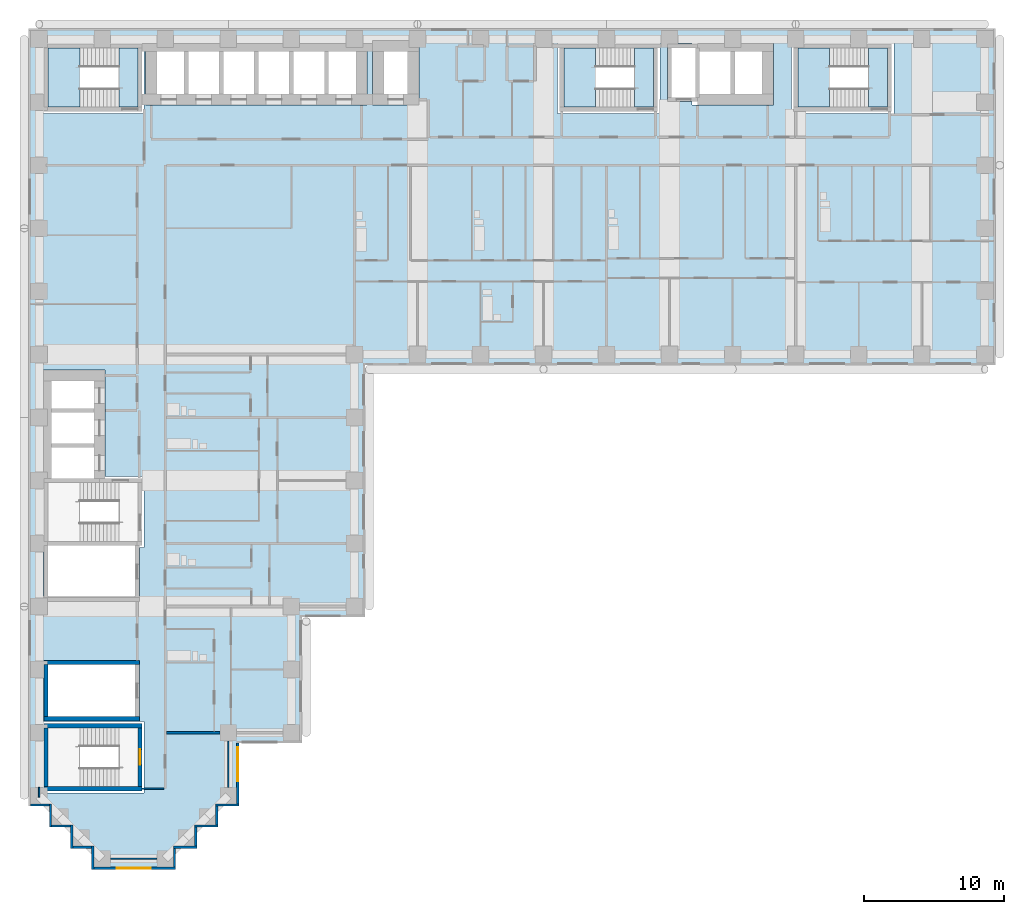
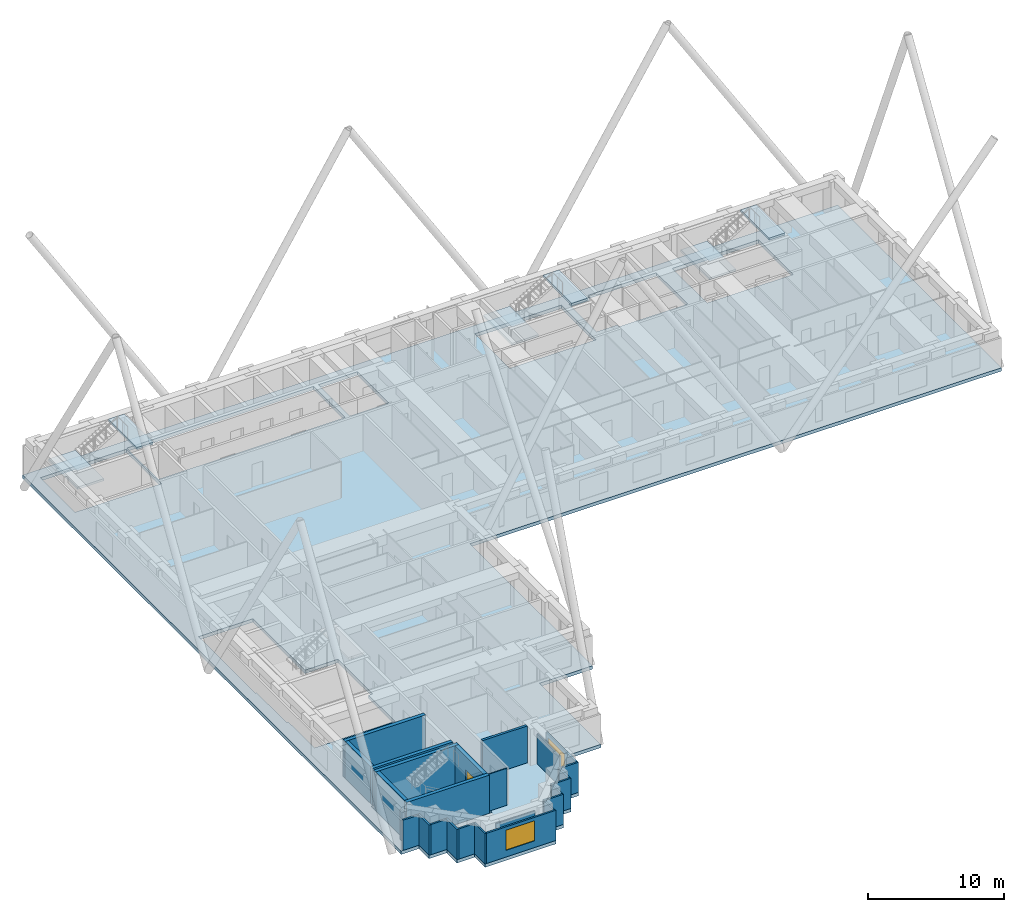
# One storey, part 2 of 13: 26 walls, 7 slabs, 2 windows, 1 door, 3 openings, 3 elements without a shape of their own.
"""IFC4 building model written with IfcOpenShell, lengths in metres."""

from ifc_helpers import new_model, si_unit, direction, frame, frame_2d, origin, place, context, subcontext, project, spatial, polyline, rectangle, outline, extrude, material, layer, layer_set, type_object, element, fill, aggregate, save


model = new_model("IFC4")

# Units and contexts
model_context = context("Model", 3, precision=1e-05, world=origin(), true_north=direction((0.0, 1.0)))
body_context = subcontext(model_context, "Body", "Model", "MODEL_VIEW")
ifc_project = project(units=[si_unit("LENGTHUNIT", "METRE"), si_unit("AREAUNIT", "SQUARE_METRE"), si_unit("VOLUMEUNIT", "CUBIC_METRE"), si_unit("PLANEANGLEUNIT", "RADIAN"), si_unit("MASSUNIT", "GRAM", prefix="KILO")], contexts=[model_context])

# Site, building, storey
site_placement = place(None, origin())
site = spatial("IfcSite", under=ifc_project, at=site_placement, CompositionType="ELEMENT")
building_placement = place(site_placement, origin())
building = spatial("IfcBuilding", under=site, at=building_placement, Name="Firuza Court", CompositionType="ELEMENT")
storey_placement = place(building_placement, frame((0.0, 0.0, 50.60009765625)))
storey = spatial("IfcBuildingStorey", under=building, at=storey_placement, Name="L11", CompositionType="ELEMENT", Elevation=50.60009765625)

# Slab
ifc_material_1 = material(Name="Concrete C40/50", Category="concrete")
ifc_layer_1 = layer(ifc_material_1, 0.300048828125)
ifc_layer_set_1 = layer_set([ifc_layer_1], Name="Concrete C40/50")
slab_type_1 = type_object("IfcSlabType", Name="Floor slab 300 C40/50", PredefinedType="FLOOR", material=ifc_layer_set_1)
slab_1_placement = place(storey_placement, frame((0.0, 0.0, -0.300048828125)))
element("IfcSlab", 1, at=slab_1_placement, inside=storey, type_object=slab_type_1, Name="Floor slab L11", PredefinedType="FLOOR", context=body_context, shape_type="SweptSolid", body=[
    extrude(outline(polyline([(3.75, -0.75), (3.75, 0.75), (2.25, 0.75), (2.25, 2.25), (0.75, 2.25), (0.75, 3.75), (-0.75, 3.75), (-0.75, 59.25), (68.25, 59.25), (68.25, 35.25), (23.25, 35.25), (23.25, 17.25), (18.75, 17.25), (18.75, 8.25), (14.25, 8.25), (14.25, 3.75), (12.75, 3.75), (12.75, 2.25), (11.25, 2.25), (11.25, 0.75), (9.75, 0.75), (9.75, -0.75), (3.75, -0.75)]), holes=[polyline([(7.5, 9.800048828125), (0.199951171875, 9.800048828125), (0.199951171875, 4.699951171875), (7.5, 4.699951171875), (7.5, 9.800048828125)]), polyline([(7.14990234375, 14.14990234375), (0.35009765625, 14.14990234375), (0.35009765625, 9.85009765625), (7.14990234375, 9.85009765625), (7.14990234375, 14.14990234375)]), polyline([(0.199951171875, 22.199951171875), (0.35009765625, 22.199951171875), (0.35009765625, 18.35009765625), (7.14990234375, 18.35009765625), (7.14990234375, 22.199951171875), (7.5, 22.199951171875), (7.5, 27.300048828125), (4.699951171875, 27.300048828125), (4.699951171875, 29.10009765625), (4.699951171875, 29.89990234375), (4.699951171875, 31.60009765625), (4.699951171875, 32.39990234375), (4.699951171875, 34.89990234375), (0.10009765625, 34.89990234375), (0.10009765625, 32.39990234375), (0.10009765625, 31.60009765625), (0.10009765625, 29.89990234375), (0.10009765625, 29.10009765625), (0.10009765625, 26.60009765625), (0.199951171875, 26.60009765625), (0.199951171875, 22.199951171875)]), polyline([(7.5, 58.300048828125), (0.199951171875, 58.300048828125), (0.199951171875, 53.199951171875), (7.5, 53.199951171875), (7.5, 58.300048828125)]), polyline([(10.10009765625, 58.39990234375), (7.60009765625, 58.39990234375), (7.60009765625, 53.800048828125), (10.10009765625, 53.800048828125), (10.89990234375, 53.800048828125), (12.60009765625, 53.800048828125), (13.39990234375, 53.800048828125), (15.10009765625, 53.800048828125), (15.89990234375, 53.800048828125), (17.60009765625, 53.800048828125), (18.39990234375, 53.800048828125), (20.10009765625, 53.800048828125), (20.89990234375, 53.800048828125), (23.39990234375, 53.800048828125), (23.39990234375, 58.39990234375), (20.89990234375, 58.39990234375), (20.10009765625, 58.39990234375), (18.39990234375, 58.39990234375), (17.60009765625, 58.39990234375), (15.89990234375, 58.39990234375), (15.10009765625, 58.39990234375), (13.39990234375, 58.39990234375), (12.60009765625, 58.39990234375), (10.89990234375, 58.39990234375), (10.10009765625, 58.39990234375)]), polyline([(44.300048828125, 58.300048828125), (37.0, 58.300048828125), (37.0, 53.199951171875), (44.300048828125, 53.199951171875), (44.300048828125, 58.300048828125)]), polyline([(61.0, 58.300048828125), (53.699951171875, 58.300048828125), (53.699951171875, 53.199951171875), (61.0, 53.199951171875), (61.0, 58.300048828125)]), polyline([(27.10009765625, 58.39990234375), (23.800048828125, 58.39990234375), (23.800048828125, 53.800048828125), (27.10009765625, 53.800048828125), (27.10009765625, 58.39990234375)]), polyline([(46.60009765625, 58.14990234375), (44.85009765625, 58.14990234375), (44.85009765625, 54.050048828125), (46.60009765625, 54.050048828125), (46.60009765625, 53.800048828125), (49.10009765625, 53.800048828125), (49.89990234375, 53.800048828125), (52.39990234375, 53.800048828125), (52.39990234375, 58.39990234375), (49.89990234375, 58.39990234375), (49.10009765625, 58.39990234375), (46.60009765625, 58.39990234375), (46.60009765625, 58.14990234375)])]), origin(), (0.0, 0.0, 1.0), 0.300048828125),
])

# Stair, slabs
ifc_material_2 = material(Name="Concrete C40/50 precast", Category="concrete")
stair_type = type_object("IfcStairType", Name="Stair 1350 x 3600 2 flights", PredefinedType="HALF_TURN_STAIR", material=ifc_material_2)
stair_1_placement = place(storey_placement, origin())
stair_1 = element("IfcStair", 2, at=stair_1_placement, inside=storey, type_object=stair_type, Name="Stair 1 L11", PredefinedType="HALF_TURN_STAIR")
ifc_material_3 = material(Name="Concrete C40/50 precast", Category="concrete")
ifc_layer_2 = layer(ifc_material_3, 0.199951171875)
ifc_layer_set_2 = layer_set([ifc_layer_2], Name="Concrete C40/50 precast")
slab_type_2 = type_object("IfcSlabType", Name="Stair landing 200", PredefinedType="LANDING", material=ifc_layer_set_2)
slab_2_placement = place(storey_placement, frame((0.0, 0.0, 1.599853515625)))
slab_2 = element("IfcSlab", 3, at=slab_2_placement, type_object=slab_type_2, Name="S1 landing 1", PredefinedType="LANDING", context=body_context, shape_type="SweptSolid", body=[
    extrude(outline(polyline([(39.699951171875, 53.64990234375), (39.699951171875, 57.85009765625), (37.449951171875, 57.85009765625), (37.449951171875, 53.64990234375), (39.699951171875, 53.64990234375)])), origin(), (0.0, 0.0, 1.0), 0.199951171875),
])
slab_3_placement = place(storey_placement, frame((0.0, 0.0, 3.39990234375)))
slab_3 = element("IfcSlab", 4, at=slab_3_placement, type_object=slab_type_2, Name="S1 landing 2", PredefinedType="LANDING", context=body_context, shape_type="SweptSolid", body=[
    extrude(outline(polyline([(43.85009765625, 53.64990234375), (43.85009765625, 57.85009765625), (42.5, 57.85009765625), (42.5, 53.64990234375), (43.85009765625, 53.64990234375)])), origin(), (0.0, 0.0, 1.0), 0.199951171875),
])
aggregate(stair_1, [slab_2, slab_3])

stair_2_placement = place(storey_placement, origin())
stair_2 = element("IfcStair", 5, at=stair_2_placement, inside=storey, type_object=stair_type, Name="Stair 3 L11", PredefinedType="HALF_TURN_STAIR")
slab_4_placement = place(storey_placement, frame((0.0, 0.0, 1.599853515625)))
slab_4 = element("IfcSlab", 6, at=slab_4_placement, type_object=slab_type_2, Name="S3 landing 1", PredefinedType="LANDING", context=body_context, shape_type="SweptSolid", body=[
    extrude(outline(polyline([(2.89990234375, 53.64990234375), (2.89990234375, 57.85009765625), (0.64990234375, 57.85009765625), (0.64990234375, 53.64990234375), (2.89990234375, 53.64990234375)])), origin(), (0.0, 0.0, 1.0), 0.199951171875),
])
slab_5_placement = place(storey_placement, frame((0.0, 0.0, 3.39990234375)))
slab_5 = element("IfcSlab", 7, at=slab_5_placement, type_object=slab_type_2, Name="S3 landing 2", PredefinedType="LANDING", context=body_context, shape_type="SweptSolid", body=[
    extrude(outline(polyline([(7.050048828125, 53.64990234375), (7.050048828125, 57.85009765625), (5.699951171875, 57.85009765625), (5.699951171875, 53.64990234375), (7.050048828125, 53.64990234375)])), origin(), (0.0, 0.0, 1.0), 0.199951171875),
])
aggregate(stair_2, [slab_4, slab_5])

stair_3_placement = place(storey_placement, origin())
stair_3 = element("IfcStair", 8, at=stair_3_placement, inside=storey, type_object=stair_type, Name="Stair 4 L11", PredefinedType="HALF_TURN_STAIR")
slab_6_placement = place(storey_placement, frame((0.0, 0.0, 1.599853515625)))
slab_6 = element("IfcSlab", 9, at=slab_6_placement, type_object=slab_type_2, Name="S4 landing 1", PredefinedType="LANDING", context=body_context, shape_type="SweptSolid", body=[
    extrude(outline(polyline([(56.39990234375, 53.64990234375), (56.39990234375, 57.85009765625), (54.14990234375, 57.85009765625), (54.14990234375, 53.64990234375), (56.39990234375, 53.64990234375)])), origin(), (0.0, 0.0, 1.0), 0.199951171875),
])
slab_7_placement = place(storey_placement, frame((0.0, 0.0, 3.39990234375)))
slab_7 = element("IfcSlab", 10, at=slab_7_placement, type_object=slab_type_2, Name="S4 landing 2", PredefinedType="LANDING", context=body_context, shape_type="SweptSolid", body=[
    extrude(outline(polyline([(60.550048828125, 53.64990234375), (60.550048828125, 57.85009765625), (59.199951171875, 57.85009765625), (59.199951171875, 53.64990234375), (60.550048828125, 53.64990234375)])), origin(), (0.0, 0.0, 1.0), 0.199951171875),
])
aggregate(stair_3, [slab_6, slab_7])

# Walls
ifc_material_4 = material(Name="Concrete C60/75", Category="concrete")
ifc_layer_3 = layer(ifc_material_4, 0.300048828125)
ifc_layer_set_3 = layer_set([ifc_layer_3], Name="Concrete C60/75")
wall_type_1 = type_object("IfcWallType", Name="Core wall 300 C60/75", PredefinedType="SHEAR", material=ifc_layer_set_3)
for number, where, z_axis, x_axis, name in (
    (11, (0.35009765625, 5.0, -0.300048828125), (0.0, 0.0, 1.0), (1.0, 0.0, 0.0), "Core wall stair L11"),
    (12, (0.35009765625, 9.5, -0.300048828125), (0.0, 0.0, 1.0), (1.0, 0.0, 0.0), "Core wall stair L11"),
):
    element("IfcWall", number, at=place(storey_placement, frame(where, z_axis=z_axis, x_axis=x_axis)), inside=storey, type_object=wall_type_1, Name=name, PredefinedType="SHEAR", context=body_context, shape_type="SweptSolid", body=[
        extrude(rectangle(XDim=7.0, YDim=0.300048828125, at=frame_2d((3.5, 0.0))), origin(), (0.0, 0.0, 1.0), 3.599853515625),
    ])
for number, where, z_axis, x_axis, name in (
    (13, (0.35009765625, 10.0, -0.300048828125), (0.0, 0.0, 1.0), (1.0, 0.0, 0.0), "Core wall riser L11"),
    (14, (0.35009765625, 14.0, -0.300048828125), (0.0, 0.0, 1.0), (1.0, 0.0, 0.0), "Core wall riser L11"),
):
    element("IfcWall", number, at=place(storey_placement, frame(where, z_axis=z_axis, x_axis=x_axis)), inside=storey, type_object=wall_type_1, Name=name, PredefinedType="SHEAR", context=body_context, shape_type="SweptSolid", body=[
        extrude(rectangle(XDim=6.7998046875, YDim=0.300048828125, at=frame_2d((3.39990234375, 0.0))), origin(), (0.0, 0.0, 1.0), 3.599853515625),
    ])
wall_1_placement = place(storey_placement, frame((0.5, 5.14990234375, -0.300048828125), z_axis=(0.0, 0.0, 1.0), x_axis=(0.0, 1.0, 0.0)))
element("IfcWall", 15, at=wall_1_placement, inside=storey, type_object=wall_type_1, Name="Core wall stair L11", PredefinedType="SHEAR", context=body_context, shape_type="SweptSolid", body=[
    extrude(rectangle(XDim=4.2001953125, YDim=0.300048828125, at=frame_2d((2.10009765625, 0.0))), origin(), (0.0, 0.0, 1.0), 3.599853515625),
])
wall_2_placement = place(storey_placement, frame((0.5, 10.14990234375, -0.300048828125), z_axis=(0.0, 0.0, 1.0), x_axis=(0.0, 1.0, 0.0)))
element("IfcWall", 16, at=wall_2_placement, inside=storey, type_object=wall_type_1, Name="Core wall riser L11", PredefinedType="SHEAR", context=body_context, shape_type="SweptSolid", body=[
    extrude(rectangle(XDim=3.7001953125, YDim=0.300048828125, at=frame_2d((1.85009765625, 0.0))), origin(), (0.0, 0.0, 1.0), 3.599853515625),
])

# Wall, opening, door
wall_3_placement = place(storey_placement, frame((7.199951171875, 5.14990234375, -0.300048828125), z_axis=(0.0, 0.0, 1.0), x_axis=(0.0, 1.0, 0.0)))
wall_3 = element("IfcWall", 17, at=wall_3_placement, inside=storey, type_object=wall_type_1, Name="Core wall stair L11", PredefinedType="SHEAR", context=body_context, shape_type="SweptSolid", body=[
    extrude(rectangle(XDim=4.2001953125, YDim=0.300048828125, at=frame_2d((2.10009765625, 0.0))), origin(), (0.0, 0.0, 1.0), 3.599853515625),
])
opening_1_placement = place(wall_3_placement, frame((1.550048828125, 0.0, 0.300048828125)))
opening_1 = element("IfcOpeningElement", 18, at=opening_1_placement, cuts=wall_3, Name="Opening D11018", PredefinedType="OPENING", context=body_context, shape_type="SweptSolid", body=[
    extrude(rectangle(XDim=1.10009765625, YDim=2.10009765625, at=frame_2d((0.550048828125, 1.050048828125))), frame((0.0, 0.162109375, 0.0), z_axis=(0.0, -1.0, 0.0), x_axis=(1.0, 0.0, 0.0)), (0.0, 0.0, 1.0), 0.323974609375),
])
ifc_material_5 = material(Name="Timber door leaf in hardwood frame", Category="wood")
door_type = type_object("IfcDoorType", Name="Stair door 1100", OperationType="SINGLE_SWING_LEFT", PredefinedType="DOOR", material=ifc_material_5)
door_placement = place(opening_1_placement, origin())
door = element("IfcDoor", 19, at=door_placement, inside=storey, type_object=door_type, Name="Stair door S5", OperationType="SINGLE_SWING_LEFT", OverallHeight=2.10009765625, OverallWidth=1.10009765625, PredefinedType="DOOR", context=body_context, shape_type="SweptSolid", body=[
    extrude(rectangle(XDim=1.10009765625, YDim=2.10009765625, at=frame_2d((0.550048828125, 1.050048828125))), frame((0.0, 0.02490234375, 0.0), z_axis=(0.0, -1.0, 0.0), x_axis=(1.0, 0.0, 0.0)), (0.0, 0.0, 1.0), 0.050048828125),
])
fill(opening_1, door)

# Walls
ifc_material_6 = material(Name="Timber stud partition, plasterboard both sides", Category="wood")
ifc_layer_4 = layer(ifc_material_6, 0.10009765625)
ifc_layer_set_4 = layer_set([ifc_layer_4], Name="Timber stud partition, plasterboard both sides")
wall_type_2 = type_object("IfcWallType", Name="Partition wall 100", PredefinedType="PARTITIONING", material=ifc_layer_set_4)
wall_4_placement = place(storey_placement, frame((5.10009765625, 0.0, 0.0), z_axis=(0.0, 0.0, 1.0), x_axis=(1.0, 0.0, 0.0)))
element("IfcWall", 20, at=wall_4_placement, inside=storey, type_object=wall_type_2, Name="Partition wall 100 L11", PredefinedType="PARTITIONING", context=body_context, shape_type="SweptSolid", body=[
    extrude(rectangle(XDim=3.2998046875, YDim=0.10009765625, at=frame_2d((1.64990234375, 0.0))), origin(), (0.0, 0.0, 1.0), 2.699951171875),
])
wall_5_placement = place(storey_placement, frame((0.0, 4.39990234375, 0.0), z_axis=(0.0, 0.0, 1.0), x_axis=(0.0, 1.0, 0.0)))
element("IfcWall", 21, at=wall_5_placement, inside=storey, type_object=wall_type_2, Name="Partition wall 100 L11", PredefinedType="PARTITIONING", context=body_context, shape_type="SweptSolid", body=[
    extrude(rectangle(XDim=0.7001953125, YDim=0.10009765625, at=frame_2d((0.35009765625, 0.0))), origin(), (0.0, 0.0, 1.0), 2.699951171875),
])
wall_6_placement = place(storey_placement, frame((7.34912109375, 5.0, 0.0), z_axis=(0.0, 0.0, 1.0), x_axis=(1.0, 0.0, 0.0)))
element("IfcWall", 22, at=wall_6_placement, inside=storey, type_object=wall_type_2, Name="Partition wall 100 L11", PredefinedType="PARTITIONING", context=body_context, shape_type="SweptSolid", body=[
    extrude(rectangle(XDim=1.55078125, YDim=0.10009765625, at=frame_2d((0.775390625, 0.0))), origin(), (0.0, 0.0, 1.0), 3.2998046875),
])
wall_7_placement = place(storey_placement, frame((13.5, 5.10009765625, 0.0), z_axis=(0.0, 0.0, 1.0), x_axis=(0.0, 1.0, 0.0)))
element("IfcWall", 23, at=wall_7_placement, inside=storey, type_object=wall_type_2, Name="Partition wall 100 L11", PredefinedType="PARTITIONING", context=body_context, shape_type="SweptSolid", body=[
    extrude(rectangle(XDim=3.2998046875, YDim=0.10009765625, at=frame_2d((1.64990234375, 0.0))), origin(), (0.0, 0.0, 1.0), 2.699951171875),
])
ifc_material_7 = material(Name="Blockwork, plastered both sides", Category="masonry")
ifc_layer_5 = layer(ifc_material_7, 0.199951171875)
ifc_layer_set_5 = layer_set([ifc_layer_5], Name="Blockwork, plastered both sides")
wall_type_3 = type_object("IfcWallType", Name="Party wall 200", PredefinedType="PARTITIONING", material=ifc_layer_set_5)
wall_8_placement = place(storey_placement, frame((9.10009765625, 9.0, 0.0), z_axis=(0.0, 0.0, 1.0), x_axis=(1.0, 0.0, 0.0)))
element("IfcWall", 24, at=wall_8_placement, inside=storey, type_object=wall_type_3, Name="Party wall 200 L11", PredefinedType="PARTITIONING", context=body_context, shape_type="SweptSolid", body=[
    extrude(rectangle(XDim=3.7998046875, YDim=0.199951171875, at=frame_2d((1.89990234375, 0.0))), origin(), (0.0, 0.0, 1.0), 3.2998046875),
])
ifc_material_8 = material(Name="Ceramic tile", Category="ceramic")
ifc_layer_6 = layer(ifc_material_8, 0.02001953125)
ifc_material_9 = material(Name="Mineral wool insulation", Category="insulation")
ifc_layer_7 = layer(ifc_material_9, 0.050048828125)
ifc_layer_8 = layer(ifc_material_3, 0.080078125)
ifc_layer_set_6 = layer_set([ifc_layer_6, ifc_layer_7, ifc_layer_8], Name="Concrete C40/50 precast")
wall_type_4 = type_object("IfcWallType", Name="Precast cladding wall with turquoise TILE PANEL face 150", PredefinedType="STANDARD", material=ifc_layer_set_6)
wall_9_placement = place(storey_placement, frame((9.675048828125, -0.60009765625, 0.0), z_axis=(0.0, 0.0, 1.0), x_axis=(0.0, 1.0, 0.0)))
element("IfcWall", 25, at=wall_9_placement, inside=storey, type_object=wall_type_4, Name="Facade wall L11 E", PredefinedType="STANDARD", context=body_context, shape_type="SweptSolid", body=[
    extrude(rectangle(XDim=1.35009765625, YDim=0.14990234375, at=frame_2d((0.675048828125, 0.0))), origin(), (0.0, 0.0, 1.0), 2.699951171875),
])
wall_10_placement = place(storey_placement, frame((9.60009765625, 0.824951171875, 0.0), z_axis=(0.0, 0.0, 1.0), x_axis=(1.0, 0.0, 0.0)))
element("IfcWall", 26, at=wall_10_placement, inside=storey, type_object=wall_type_4, Name="Facade wall L11 S", PredefinedType="STANDARD", context=body_context, shape_type="SweptSolid", body=[
    extrude(rectangle(XDim=1.64990234375, YDim=0.14990234375, at=frame_2d((0.824951171875, 0.0))), origin(), (0.0, 0.0, 1.0), 2.699951171875),
])
wall_11_placement = place(storey_placement, frame((11.175048828125, 0.89990234375, 0.0), z_axis=(0.0, 0.0, 1.0), x_axis=(0.0, 1.0, 0.0)))
element("IfcWall", 27, at=wall_11_placement, inside=storey, type_object=wall_type_4, Name="Facade wall L11 E", PredefinedType="STANDARD", context=body_context, shape_type="SweptSolid", body=[
    extrude(rectangle(XDim=1.35009765625, YDim=0.14990234375, at=frame_2d((0.675048828125, 0.0))), origin(), (0.0, 0.0, 1.0), 2.699951171875),
])
wall_12_placement = place(storey_placement, frame((11.10009765625, 2.324951171875, 0.0), z_axis=(0.0, 0.0, 1.0), x_axis=(1.0, 0.0, 0.0)))
element("IfcWall", 28, at=wall_12_placement, inside=storey, type_object=wall_type_4, Name="Facade wall L11 S", PredefinedType="STANDARD", context=body_context, shape_type="SweptSolid", body=[
    extrude(rectangle(XDim=1.64990234375, YDim=0.14990234375, at=frame_2d((0.824951171875, 0.0))), origin(), (0.0, 0.0, 1.0), 2.699951171875),
])
wall_13_placement = place(storey_placement, frame((12.675048828125, 2.39990234375, 0.0), z_axis=(0.0, 0.0, 1.0), x_axis=(0.0, 1.0, 0.0)))
element("IfcWall", 29, at=wall_13_placement, inside=storey, type_object=wall_type_4, Name="Facade wall L11 E", PredefinedType="STANDARD", context=body_context, shape_type="SweptSolid", body=[
    extrude(rectangle(XDim=1.35009765625, YDim=0.14990234375, at=frame_2d((0.675048828125, 0.0))), origin(), (0.0, 0.0, 1.0), 2.699951171875),
])
wall_14_placement = place(storey_placement, frame((12.60009765625, 3.824951171875, 0.0), z_axis=(0.0, 0.0, 1.0), x_axis=(1.0, 0.0, 0.0)))
element("IfcWall", 30, at=wall_14_placement, inside=storey, type_object=wall_type_4, Name="Facade wall L11 S", PredefinedType="STANDARD", context=body_context, shape_type="SweptSolid", body=[
    extrude(rectangle(XDim=1.64990234375, YDim=0.14990234375, at=frame_2d((0.824951171875, 0.0))), origin(), (0.0, 0.0, 1.0), 2.699951171875),
])

# Wall, opening, window
wall_15_placement = place(storey_placement, frame((14.175048828125, 3.89990234375, 0.0), z_axis=(0.0, 0.0, 1.0), x_axis=(0.0, 1.0, 0.0)))
wall_15 = element("IfcWall", 31, at=wall_15_placement, inside=storey, type_object=wall_type_4, Name="Facade wall L11 E", PredefinedType="STANDARD", context=body_context, shape_type="SweptSolid", body=[
    extrude(rectangle(XDim=4.35009765625, YDim=0.14990234375, at=frame_2d((2.175048828125, 0.0))), origin(), (0.0, 0.0, 1.0), 2.699951171875),
])
opening_2_placement = place(wall_15_placement, frame((1.64990234375, 0.0, 0.60009765625)))
opening_2 = element("IfcOpeningElement", 32, at=opening_2_placement, cuts=wall_15, Name="Opening W1", PredefinedType="OPENING", context=body_context, shape_type="SweptSolid", body=[
    extrude(rectangle(XDim=2.39990234375, YDim=1.800048828125, at=frame_2d((1.199951171875, 0.89990234375))), frame((0.0, 0.0869140625, 0.0), z_axis=(0.0, -1.0, 0.0), x_axis=(1.0, 0.0, 0.0)), (0.0, 0.0, 1.0), 0.173828125),
])
ifc_material_10 = material(Name="Aluminium frame, triple clear glazing", Category="aluminium")
window_type = type_object("IfcWindowType", Name="Window W1 2400 x 1800", PartitioningType="SINGLE_PANEL", PredefinedType="WINDOW", material=ifc_material_10)
window_1_placement = place(opening_2_placement, origin())
window_1 = element("IfcWindow", 33, at=window_1_placement, inside=storey, type_object=window_type, Name="Window L11", OverallHeight=1.800048828125, OverallWidth=2.39990234375, PartitioningType="SINGLE_PANEL", PredefinedType="WINDOW", context=body_context, shape_type="SweptSolid", body=[
    extrude(rectangle(XDim=2.39990234375, YDim=1.800048828125, at=frame_2d((1.199951171875, 0.89990234375))), frame((0.0, 0.030029296875, 0.0), z_axis=(0.0, -1.0, 0.0), x_axis=(1.0, 0.0, 0.0)), (0.0, 0.0, 1.0), 0.06005859375),
])
fill(opening_2, window_1)

# Walls
wall_16_placement = place(storey_placement, frame((-0.60009765625, 3.824951171875, 0.0), z_axis=(0.0, 0.0, 1.0), x_axis=(1.0, 0.0, 0.0)))
element("IfcWall", 34, at=wall_16_placement, inside=storey, type_object=wall_type_4, Name="Facade wall L11 S", PredefinedType="STANDARD", context=body_context, shape_type="SweptSolid", body=[
    extrude(rectangle(XDim=1.35009765625, YDim=0.14990234375, at=frame_2d((0.675048828125, 0.0))), origin(), (0.0, 0.0, 1.0), 2.699951171875),
])
wall_17_placement = place(storey_placement, frame((0.824951171875, 3.89990234375, 0.0), z_axis=(0.0, 0.0, 1.0), x_axis=(0.0, -1.0, 0.0)))
element("IfcWall", 35, at=wall_17_placement, inside=storey, type_object=wall_type_4, Name="Facade wall L11 W", PredefinedType="STANDARD", context=body_context, shape_type="SweptSolid", body=[
    extrude(rectangle(XDim=1.64990234375, YDim=0.14990234375, at=frame_2d((0.824951171875, 0.0))), origin(), (0.0, 0.0, 1.0), 2.699951171875),
])
wall_18_placement = place(storey_placement, frame((0.89990234375, 2.324951171875, 0.0), z_axis=(0.0, 0.0, 1.0), x_axis=(1.0, 0.0, 0.0)))
element("IfcWall", 36, at=wall_18_placement, inside=storey, type_object=wall_type_4, Name="Facade wall L11 S", PredefinedType="STANDARD", context=body_context, shape_type="SweptSolid", body=[
    extrude(rectangle(XDim=1.35009765625, YDim=0.14990234375, at=frame_2d((0.675048828125, 0.0))), origin(), (0.0, 0.0, 1.0), 2.699951171875),
])
wall_19_placement = place(storey_placement, frame((2.324951171875, 2.39990234375, 0.0), z_axis=(0.0, 0.0, 1.0), x_axis=(0.0, -1.0, 0.0)))
element("IfcWall", 37, at=wall_19_placement, inside=storey, type_object=wall_type_4, Name="Facade wall L11 W", PredefinedType="STANDARD", context=body_context, shape_type="SweptSolid", body=[
    extrude(rectangle(XDim=1.64990234375, YDim=0.14990234375, at=frame_2d((0.824951171875, 0.0))), origin(), (0.0, 0.0, 1.0), 2.699951171875),
])
wall_20_placement = place(storey_placement, frame((2.39990234375, 0.824951171875, 0.0), z_axis=(0.0, 0.0, 1.0), x_axis=(1.0, 0.0, 0.0)))
element("IfcWall", 38, at=wall_20_placement, inside=storey, type_object=wall_type_4, Name="Facade wall L11 S", PredefinedType="STANDARD", context=body_context, shape_type="SweptSolid", body=[
    extrude(rectangle(XDim=1.35009765625, YDim=0.14990234375, at=frame_2d((0.675048828125, 0.0))), origin(), (0.0, 0.0, 1.0), 2.699951171875),
])
wall_21_placement = place(storey_placement, frame((3.824951171875, 0.89990234375, 0.0), z_axis=(0.0, 0.0, 1.0), x_axis=(0.0, -1.0, 0.0)))
element("IfcWall", 39, at=wall_21_placement, inside=storey, type_object=wall_type_4, Name="Facade wall L11 W", PredefinedType="STANDARD", context=body_context, shape_type="SweptSolid", body=[
    extrude(rectangle(XDim=1.64990234375, YDim=0.14990234375, at=frame_2d((0.824951171875, 0.0))), origin(), (0.0, 0.0, 1.0), 2.699951171875),
])

# Wall, opening, window
wall_22_placement = place(storey_placement, frame((3.89990234375, -0.675048828125, 0.0), z_axis=(0.0, 0.0, 1.0), x_axis=(1.0, 0.0, 0.0)))
wall_22 = element("IfcWall", 40, at=wall_22_placement, inside=storey, type_object=wall_type_4, Name="Facade wall L11 S", PredefinedType="STANDARD", context=body_context, shape_type="SweptSolid", body=[
    extrude(rectangle(XDim=5.85009765625, YDim=0.14990234375, at=frame_2d((2.925048828125, 0.0))), origin(), (0.0, 0.0, 1.0), 2.699951171875),
])
opening_3_placement = place(wall_22_placement, frame((1.64990234375, 0.0, 0.60009765625)))
opening_3 = element("IfcOpeningElement", 41, at=opening_3_placement, cuts=wall_22, Name="Opening W1", PredefinedType="OPENING", context=body_context, shape_type="SweptSolid", body=[
    extrude(rectangle(XDim=2.39990234375, YDim=1.800048828125, at=frame_2d((1.199951171875, 0.89990234375))), frame((0.0, 0.0869140625, 0.0), z_axis=(0.0, -1.0, 0.0), x_axis=(1.0, 0.0, 0.0)), (0.0, 0.0, 1.0), 0.173828125),
])
window_2_placement = place(opening_3_placement, origin())
window_2 = element("IfcWindow", 42, at=window_2_placement, inside=storey, type_object=window_type, Name="Window L11", OverallHeight=1.800048828125, OverallWidth=2.39990234375, PartitioningType="SINGLE_PANEL", PredefinedType="WINDOW", context=body_context, shape_type="SweptSolid", body=[
    extrude(rectangle(XDim=2.39990234375, YDim=1.800048828125, at=frame_2d((1.199951171875, 0.89990234375))), frame((0.0, 0.030029296875, 0.0), z_axis=(0.0, -1.0, 0.0), x_axis=(1.0, 0.0, 0.0)), (0.0, 0.0, 1.0), 0.06005859375),
])
fill(opening_3, window_2)

save(model, "model.ifc")
